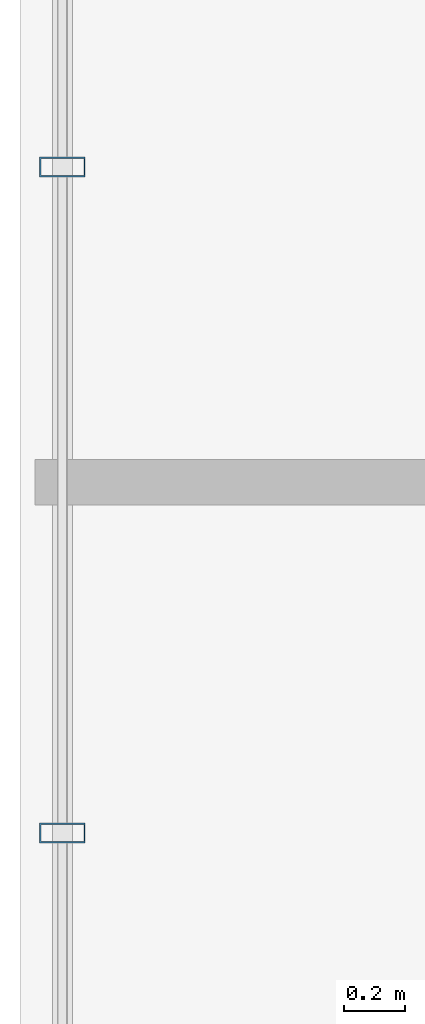
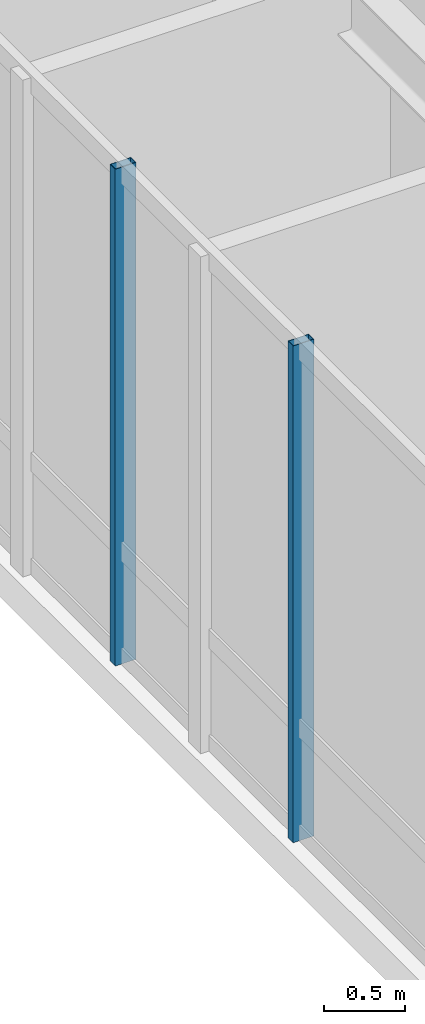
# One storey, part 5 of 23: 2 members, 1 element without a shape of its own.
"""IFC4 building model written with IfcOpenShell, lengths in metres."""

from ifc_helpers import new_model, si_unit, direction, frame, origin, origin_2d, place, context, subcontext, project, spatial, hollow_rectangle, extrude, material, layer, layer_set, material_profile, profile_set, type_object, element, aggregate, save


model = new_model("IFC4")

# Units and contexts
model_context = context("Model", 3, precision=1e-05, world=origin(), true_north=direction((0.0, 1.0)))
body_context = subcontext(model_context, "Body", "Model", "MODEL_VIEW")
ifc_project = project(units=[si_unit("LENGTHUNIT", "METRE"), si_unit("AREAUNIT", "SQUARE_METRE"), si_unit("VOLUMEUNIT", "CUBIC_METRE"), si_unit("PLANEANGLEUNIT", "RADIAN"), si_unit("MASSUNIT", "GRAM", prefix="KILO")], contexts=[model_context])

# Site, building, storey
site_placement = place(None, origin())
site = spatial("IfcSite", under=ifc_project, at=site_placement, CompositionType="ELEMENT")
building_placement = place(site_placement, origin())
building = spatial("IfcBuilding", under=site, at=building_placement, Name="Hatsunagi Terrace Concourse", CompositionType="ELEMENT")
storey_placement = place(building_placement, frame((0.0, 0.0, 281.949951171875)))
storey = spatial("IfcBuildingStorey", under=building, at=storey_placement, Name="L74", CompositionType="ELEMENT", Elevation=281.949951171875)

# Curtain wall, members
ifc_material_1 = material(Name="Anodised Aluminium Alloy 6063-T5", Category="aluminium")
ifc_layer = layer(ifc_material_1, 0.199951171875)
ifc_layer_set = layer_set([ifc_layer], Name="CrownWintergarden_CW06")
curtain_wall_type = type_object("IfcCurtainWallType", Name="CrownWintergarden_CW06", PredefinedType="NOTDEFINED", material=ifc_layer_set)
curtain_wall_placement = place(storey_placement, origin())
curtain_wall = element("IfcCurtainWall", 1, at=curtain_wall_placement, inside=storey, type_object=curtain_wall_type, Name="Unitised Curtain Wall CW-06 CW-L74-07", PredefinedType="NOTDEFINED")
ifc_material_2 = material(Name="Anodised Aluminium Alloy 6063-T5", Category="aluminium")
ifc_material_profile = material_profile(ifc_material_2, hollow_rectangle(XDim=0.06494140625, YDim=0.14990234375, WallThickness=0.00390625, at=origin_2d()), Name="ALU-MUL-150x65x4")
ifc_profile_set = profile_set([ifc_material_profile], Name="Anodised Aluminium Alloy 6063-T5")
member_type = type_object("IfcMemberType", Name="CurtainWallMullion_Crown_150x65", PredefinedType="MULLION", material=ifc_profile_set)
member_1_placement = place(storey_placement, frame((20.5400390625, 32.341064453125, 0.0), z_axis=(0.0, 0.0, 1.0), x_axis=(0.0, 1.0, 0.0)))
member_1 = element("IfcMember", 2, at=member_1_placement, type_object=member_type, Name="Curtain Wall Mullion MUL-03", PredefinedType="MULLION", context=body_context, shape_type="SweptSolid", body=[
    extrude(hollow_rectangle(XDim=0.06494140625, YDim=0.14990234375, WallThickness=0.00390625, at=origin_2d()), origin(), (0.0, 0.0, 1.0), 3.75),
])
member_2_placement = place(storey_placement, frame((20.5400390625, 34.541015625, 0.0), z_axis=(0.0, 0.0, 1.0), x_axis=(0.0, 1.0, 0.0)))
member_2 = element("IfcMember", 3, at=member_2_placement, type_object=member_type, Name="Curtain Wall Mullion MUL-03", PredefinedType="MULLION", context=body_context, shape_type="SweptSolid", body=[
    extrude(hollow_rectangle(XDim=0.06494140625, YDim=0.14990234375, WallThickness=0.00390625, at=origin_2d()), origin(), (0.0, 0.0, 1.0), 3.75),
])
aggregate(curtain_wall, [member_1, member_2])

save(model, "model.ifc")
